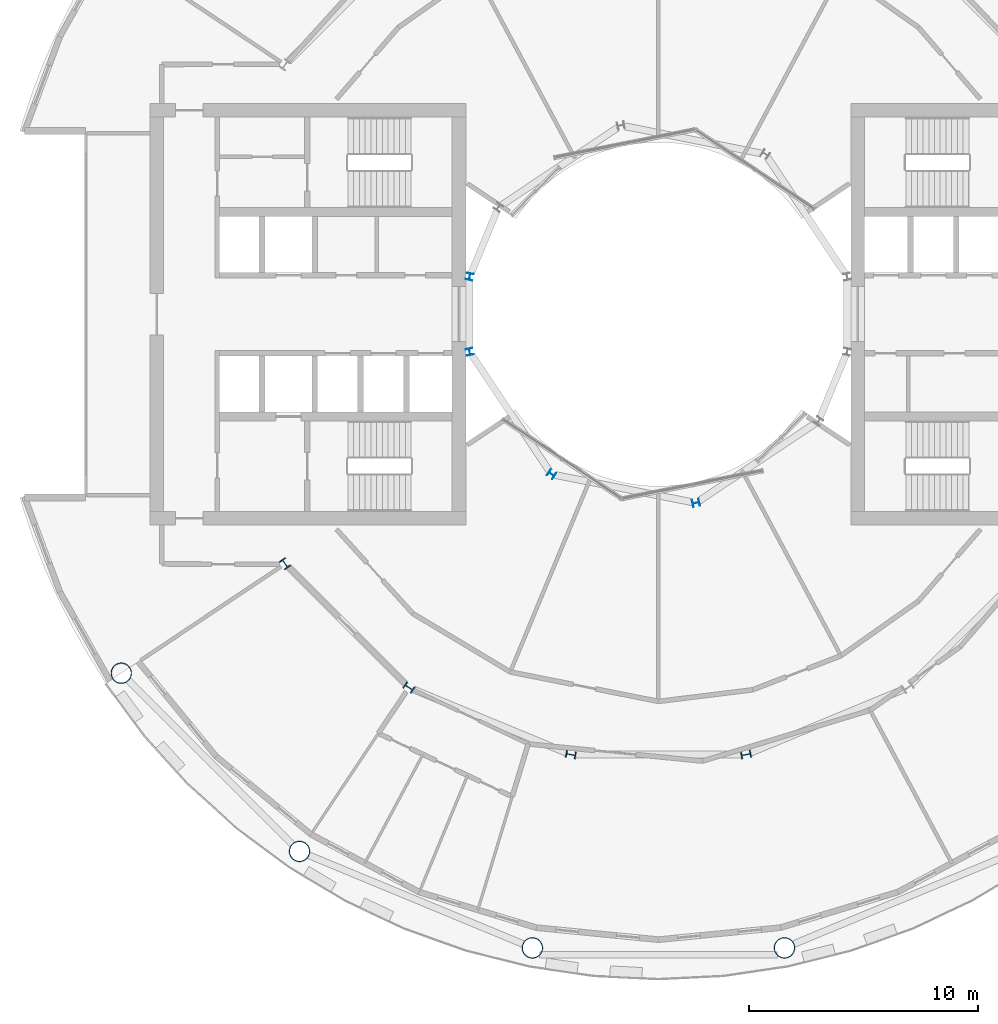
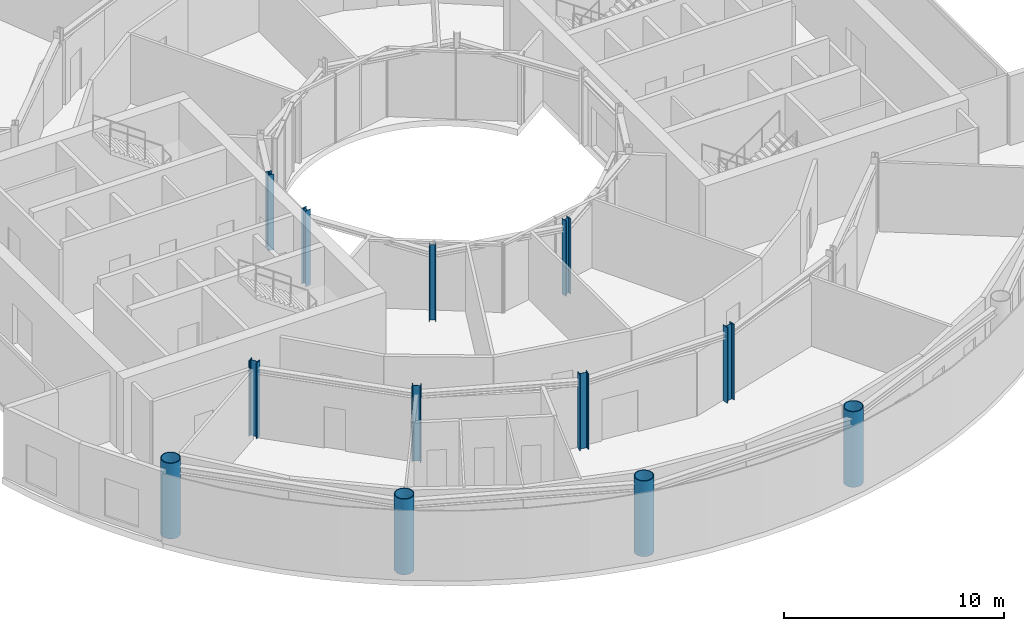
# One storey, part 1 of 21: 12 columns.
"""IFC4 building model written with IfcOpenShell, lengths in metres."""

import ifcopenshell
import ifcopenshell.guid

model = None  # the IFC model being written
_history = None  # IfcOwnerHistory: only IFC2X3 demands one
_inside = {}  # id of a spatial element -> (the spatial element, [elements in it])
_under = {}  # id of a project, library or spatial element -> (it, [spatial elements below it])
_declared = {}  # id of a project -> (the project, [libraries it declares])
_typed = {}  # id of a type object -> (the type object, [elements of that type])
_made_of = {}  # id of a material, layer set ... -> (it, [elements and type objects made of it])


def new_model(schema):
    """Start an empty IFC model of exactly this schema.

    Asked for "IFC4X3", IfcOpenShell would pick the latest addendum, in which some entities
    have other attributes; the version numbers below select the first issue.
    IFC2X3 requires an IfcOwnerHistory on every rooted entity: one is made here for all.
    """
    global model, _history
    if schema == "IFC4X3":
        model = ifcopenshell.file(schema_version=(4, 3, 0, 0))
    else:
        model = ifcopenshell.file(schema=schema)
    _inside.clear()
    _under.clear()
    _declared.clear()
    _typed.clear()
    _made_of.clear()
    _history = None
    if model.schema == "IFC2X3":
        org = make("IfcOrganization", Name="unknown")
        user = make(
            "IfcPersonAndOrganization",
            ThePerson=make("IfcPerson", FamilyName="unknown"),
            TheOrganization=org,
        )
        app = make(
            "IfcApplication",
            ApplicationDeveloper=org,
            Version="unknown",
            ApplicationFullName="unknown",
            ApplicationIdentifier="unknown",
        )
        _history = make(
            "IfcOwnerHistory",
            OwningUser=user,
            OwningApplication=app,
            ChangeAction="ADDED",
            CreationDate=0,
        )
    return model


def make(cls, **values):
    """One entity of the class cls with the attributes given. An attribute that is None is left unset."""
    return model.create_entity(
        cls, **{name: value for name, value in values.items() if value is not None}
    )


def rooted(cls, **values):
    """An entity with a GlobalId (a new one), such as an element, a storey or a relation."""
    return make(cls, GlobalId=ifcopenshell.guid.new(), OwnerHistory=_history, **values)


def si_unit(unit_type, name, prefix=None):
    """IfcSIUnit, for example si_unit("LENGTHUNIT", "METRE", prefix="MILLI")."""
    return make("IfcSIUnit", UnitType=unit_type, Prefix=prefix, Name=name)


def assignment(units):
    """IfcUnitAssignment: the units of a project."""
    return None if units is None else make("IfcUnitAssignment", Units=units)


def point(xyz):
    """IfcCartesianPoint."""
    return None if xyz is None else make("IfcCartesianPoint", Coordinates=xyz)


def direction(xyz):
    """IfcDirection."""
    return None if xyz is None else make("IfcDirection", DirectionRatios=xyz)


def frame(location, z_axis=None, x_axis=None):
    """IfcAxis2Placement3D, a coordinate frame: its origin and axes. An axis left out is left unset."""
    return make(
        "IfcAxis2Placement3D",
        Location=point(location),
        Axis=direction(z_axis),
        RefDirection=direction(x_axis),
    )


def frame_2d(location, x_axis=None):
    """IfcAxis2Placement2D, a coordinate frame in the plane: its origin and x axis."""
    return make(
        "IfcAxis2Placement2D", Location=point(location), RefDirection=direction(x_axis)
    )


def origin():
    """The frame at (0, 0, 0) with its axes left unset."""
    return frame((0.0, 0.0, 0.0))


def origin_2d():
    """The frame at (0, 0) in the plane with its x axis left unset."""
    return frame_2d((0.0, 0.0))


def place(relative_to, where):
    """IfcLocalPlacement: puts the frame where relative to a parent placement (None: the world)."""
    return make(
        "IfcLocalPlacement", PlacementRelTo=relative_to, RelativePlacement=where
    )


def context(
    kind, dimensions, precision=None, world=None, true_north=None, identifier=None
):
    """IfcGeometricRepresentationContext, for example the 3D "Model" context."""
    return make(
        "IfcGeometricRepresentationContext",
        ContextIdentifier=identifier,
        ContextType=kind,
        CoordinateSpaceDimension=dimensions,
        Precision=precision,
        WorldCoordinateSystem=world,
        TrueNorth=true_north,
    )


def subcontext(parent, identifier, kind, view, scale=None):
    """IfcGeometricRepresentationSubContext, for example "Body" below "Model"."""
    return make(
        "IfcGeometricRepresentationSubContext",
        ContextIdentifier=identifier,
        ContextType=kind,
        ParentContext=parent,
        TargetScale=scale,
        TargetView=view,
    )


def project(units=None, contexts=None):
    """IfcProject with its units and contexts."""
    return rooted(
        "IfcProject",
        Name="project",
        RepresentationContexts=contexts,
        UnitsInContext=assignment(units),
    )


def spatial(cls, under=None, at=None, **own):
    """A site, building, storey or space (cls), placed at a placement, below another one or the project."""
    s = rooted(cls, ObjectPlacement=at, **own)
    if under is not None:
        _under.setdefault(under.id(), (under, []))[1].append(s)
    return s


def profile(cls, at=None, kind="AREA", **sizes):
    """A parametric profile (cls). Its sizes go by their IFC names, for example OverallWidth=200.0."""
    return make(cls, ProfileType=kind, Position=at, **sizes)


def hollow_circle(**sizes):
    """IfcCircleHollowProfileDef."""
    return profile("IfcCircleHollowProfileDef", **sizes)


def i_section(**sizes):
    """IfcIShapeProfileDef."""
    return profile("IfcIShapeProfileDef", **sizes)


def extrude(swept, where, along, depth):
    """IfcExtrudedAreaSolid: the profile swept, set in the frame where, extruded along a direction by depth."""
    return make(
        "IfcExtrudedAreaSolid",
        SweptArea=swept,
        Position=where,
        ExtrudedDirection=direction(along),
        Depth=depth,
    )


def shape(context_of_items, identifier, shape_type, items):
    """IfcShapeRepresentation: the items that make up one representation, for example the "Body"."""
    return make(
        "IfcShapeRepresentation",
        ContextOfItems=context_of_items,
        RepresentationIdentifier=identifier,
        RepresentationType=shape_type,
        Items=items,
    )


def material(Name=None, Category=None):
    """IfcMaterial."""
    return make("IfcMaterial", Name=Name, Category=Category)


def material_profile(
    of_material, cross_section, Name=None, Category=None, Priority=None
):
    """IfcMaterialProfile: a cross section and its material."""
    return make(
        "IfcMaterialProfile",
        Name=Name,
        Material=of_material,
        Profile=cross_section,
        Priority=Priority,
        Category=Category,
    )


def profile_set(profiles, Name=None, composite=None):
    """IfcMaterialProfileSet."""
    return make(
        "IfcMaterialProfileSet",
        Name=Name,
        MaterialProfiles=profiles,
        CompositeProfile=composite,
    )


def made_of(thing, what):
    """Note that an element or type object is made of a material, layer set ...; save() writes the relation."""
    if what is not None:
        _made_of.setdefault(what.id(), (what, []))[1].append(thing)
    return thing


def type_object(cls, material=None, **own):
    """A type object (cls), such as IfcWallType, which elements share."""
    return made_of(rooted(cls, **own), material)


def element(
    cls,
    number,
    at=None,
    inside=None,
    cuts=None,
    type_object=None,
    material=None,
    context=None,
    identifier="Body",
    shape_type=None,
    held_by="IfcProductDefinitionShape",
    body=None,
    shapes=None,
    **own,
):
    """One element of the class cls, such as IfcWall. Its Tag is "e" and its number.

    at: its placement. inside: the storey or other place that contains it. cuts: it is an
    opening in that element (IfcRelVoidsElement). A single representation is given by context,
    identifier, shape_type and body (its items); several are given by shapes. held_by: the class
    of the entity that holds the representations. save() writes the other relations.
    """
    e = rooted(cls, Tag="e%d" % number, ObjectPlacement=at, **own)
    if body is not None:
        shapes = [shape(context, identifier, shape_type, body)]
    if shapes is not None:
        e.Representation = make(held_by, Representations=shapes)
    if inside is not None:
        _inside.setdefault(inside.id(), (inside, []))[1].append(e)
    if cuts is not None:
        rooted(
            "IfcRelVoidsElement", RelatingBuildingElement=cuts, RelatedOpeningElement=e
        )
    if type_object is not None:
        _typed.setdefault(type_object.id(), (type_object, []))[1].append(e)
    return made_of(e, material)


def aggregate(whole, parts):
    """IfcRelAggregates: a whole, such as a stair, and the parts it consists of."""
    return rooted("IfcRelAggregates", RelatingObject=whole, RelatedObjects=parts)


def save(model, path):
    """Write the relations noted so far, then the file.

    IfcRelAggregates (storeys below a building ...), IfcRelContainedInSpatialStructure (elements
    in a storey), IfcRelDefinesByType, IfcRelAssociatesMaterial and IfcRelDeclares: one each for
    every whole, place, type object, material and project.
    """
    for whole, parts in _under.values():
        aggregate(whole, parts)
    for where, things in _inside.values():
        rooted(
            "IfcRelContainedInSpatialStructure",
            RelatedElements=things,
            RelatingStructure=where,
        )
    for kind, things in _typed.values():
        rooted("IfcRelDefinesByType", RelatedObjects=things, RelatingType=kind)
    for what, things in _made_of.values():
        rooted("IfcRelAssociatesMaterial", RelatedObjects=things, RelatingMaterial=what)
    for by, libraries in _declared.values():
        rooted("IfcRelDeclares", RelatingContext=by, RelatedDefinitions=libraries)
    model.write(path)


model = new_model("IFC4")

# Units and contexts
model_context = context("Model", 3, precision=1e-05, world=origin(), true_north=direction((0.0, 1.0)))
body_context = subcontext(model_context, "Body", "Model", "MODEL_VIEW")
ifc_project = project(units=[si_unit("LENGTHUNIT", "METRE"), si_unit("AREAUNIT", "SQUARE_METRE"), si_unit("VOLUMEUNIT", "CUBIC_METRE"), si_unit("PLANEANGLEUNIT", "RADIAN"), si_unit("MASSUNIT", "GRAM", prefix="KILO")], contexts=[model_context])

# Site, building, storey
site_placement = place(None, origin())
site = spatial("IfcSite", under=ifc_project, at=site_placement, CompositionType="ELEMENT")
building_placement = place(site_placement, origin())
building = spatial("IfcBuilding", under=site, at=building_placement, Name="Maasbend Ring Residences", CompositionType="ELEMENT")
storey_placement = place(building_placement, frame((0.0, 0.0, 107.449951171875)))
storey = spatial("IfcBuildingStorey", under=building, at=storey_placement, Name="L30", CompositionType="ELEMENT", Elevation=107.449951171875)

# Columns
ifc_material_1 = material(Name="Composite concrete-filled steel tube S460NH / C80/95", Category="concrete")
ifc_material_profile_1 = material_profile(ifc_material_1, hollow_circle(Radius=0.45703125, WallThickness=0.0400390625, at=origin_2d()), Name="Composite tube column CHS 914x40")
ifc_profile_set_1 = profile_set([ifc_material_profile_1], Name="Composite concrete-filled steel tube S460NH / C80/95")
column_type_1 = type_object("IfcColumnType", Name="Composite tube column CHS 914x40", PredefinedType="COLUMN", material=ifc_profile_set_1)
for number, where, z_axis, x_axis, name in (
    (1, (-23.447509765625, -15.6669921875, 0.0), (0.0, 0.0, 1.0), (1.0, 0.0, 0.0), "Outer column R10"),
    (2, (-15.6669921875, -23.447509765625, 0.0), (0.0, 0.0, 1.0), (1.0, 0.0, 0.0), "Outer column R11"),
    (3, (-5.50146484375, -27.658203125, 0.0), (0.0, 0.0, 1.0), (1.0, 0.0, 0.0), "Outer column R12"),
    (4, (5.50146484375, -27.658203125, 0.0), (0.0, 0.0, 1.0), (1.0, 0.0, 0.0), "Outer column R13"),
):
    element("IfcColumn", number, at=place(storey_placement, frame(where, z_axis=z_axis, x_axis=x_axis)), inside=storey, type_object=column_type_1, Name=name, PredefinedType="COLUMN", context=body_context, shape_type="SweptSolid", body=[
        extrude(hollow_circle(Radius=0.45703125, WallThickness=0.0400390625, at=origin_2d()), origin(), (0.0, 0.0, 1.0), 4.199951171875),
    ])
ifc_material_2 = material(Name="Steel S355J2", Category="steel")
ifc_material_profile_2 = material_profile(ifc_material_2, i_section(OverallWidth=0.300048828125, OverallDepth=0.300048828125, WebThickness=0.010986328125, FlangeThickness=0.01904296875, FilletRadius=0.027099609375, at=origin_2d()), Name="HEB 300")
ifc_profile_set_2 = profile_set([ifc_material_profile_2], Name="Steel S355J2")
column_type_2 = type_object("IfcColumnType", Name="Steel column HEB 300", PredefinedType="COLUMN", material=ifc_profile_set_2)
for number, where, z_axis, x_axis, name in (
    (5, (-8.238525390625, 1.638916015625, 0.0), (0.0, 0.0, 1.0), (-0.980785280403, 0.195090322016, 0.0), "Well ring column R8"),
    (6, (-8.238525390625, -1.638916015625, 0.0), (0.0, 0.0, 1.0), (-0.980785280403, -0.195090322016, 0.0), "Well ring column R9"),
    (7, (-4.666748046875, -6.984375, 0.0), (0.0, 0.0, 1.0), (-0.55557023302, -0.831469612303, 0.0), "Well ring column R11"),
    (8, (1.638916015625, -8.238525390625, 0.0), (0.0, 0.0, 1.0), (0.195090322016, -0.980785280403, 0.0), "Well ring column R13"),
):
    element("IfcColumn", number, at=place(storey_placement, frame(where, z_axis=z_axis, x_axis=x_axis)), inside=storey, type_object=column_type_2, Name=name, PredefinedType="COLUMN", context=body_context, shape_type="SweptSolid", body=[
        extrude(i_section(OverallWidth=0.300048828125, OverallDepth=0.300048828125, WebThickness=0.010986328125, FlangeThickness=0.01904296875, FilletRadius=0.027099609375, at=origin_2d()), origin(), (0.0, 0.0, 1.0), 4.199951171875),
    ])
ifc_material_3 = material(Name="Steel S460M", Category="steel")
ifc_material_profile_3 = material_profile(ifc_material_3, i_section(OverallWidth=0.306884765625, OverallDepth=0.431884765625, WebThickness=0.02099609375, FlangeThickness=0.0400390625, FilletRadius=0.027099609375, at=origin_2d()), Name="HEM 400")
ifc_profile_set_3 = profile_set([ifc_material_profile_3], Name="Steel S460M")
column_type_3 = type_object("IfcColumnType", Name="Steel column HEM 400", PredefinedType="COLUMN", material=ifc_profile_set_3)
for number, where, z_axis, x_axis, name in (
    (9, (-16.296875, -10.88916015625, 0.0), (0.0, 0.0, 1.0), (-0.831469612303, -0.55557023302, 0.0), "Corridor ring column R10"),
    (10, (-10.88916015625, -16.296875, 0.0), (0.0, 0.0, 1.0), (-0.55557023302, -0.831469612303, 0.0), "Corridor ring column R11"),
    (11, (-3.82373046875, -19.223388671875, 0.0), (0.0, 0.0, 1.0), (-0.195090322016, -0.980785280403, 0.0), "Corridor ring column R12"),
    (12, (3.82373046875, -19.223388671875, 0.0), (0.0, 0.0, 1.0), (0.195090322016, -0.980785280403, 0.0), "Corridor ring column R13"),
):
    element("IfcColumn", number, at=place(storey_placement, frame(where, z_axis=z_axis, x_axis=x_axis)), inside=storey, type_object=column_type_3, Name=name, PredefinedType="COLUMN", context=body_context, shape_type="SweptSolid", body=[
        extrude(i_section(OverallWidth=0.306884765625, OverallDepth=0.431884765625, WebThickness=0.02099609375, FlangeThickness=0.0400390625, FilletRadius=0.027099609375, at=origin_2d()), origin(), (0.0, 0.0, 1.0), 4.199951171875),
    ])

save(model, "model.ifc")
